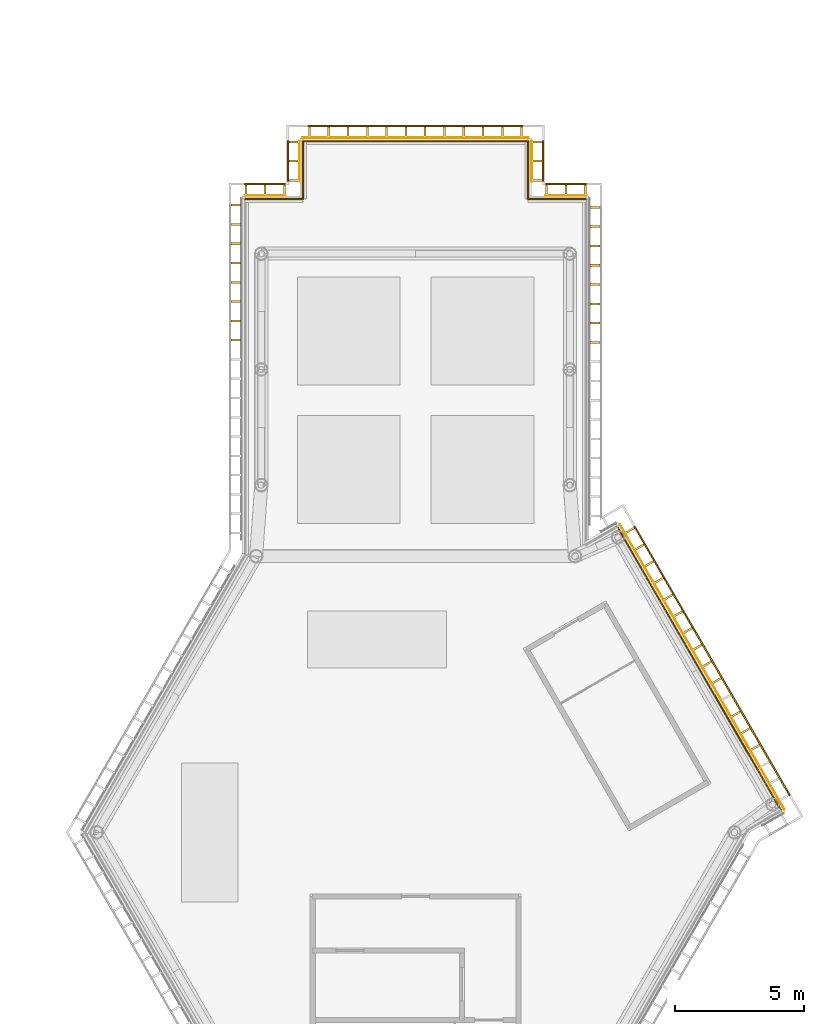
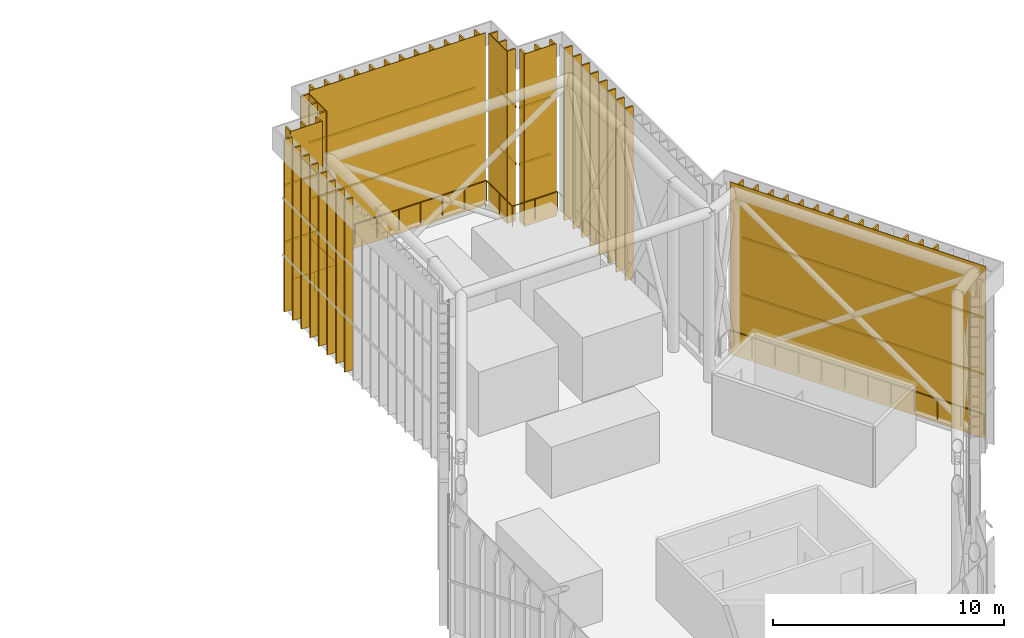
# One storey, part 14 of 17: 71 coverings, 6 railings.
"""IFC4 building model written with IfcOpenShell, lengths in metres."""

from ifc_helpers import new_model, si_unit, direction, frame, origin, origin_2d, place, context, subcontext, project, spatial, rectangle, circle, extrude, material, layer, layer_set, type_object, element, save


model = new_model("IFC4")

# Units and contexts
model_context = context("Model", 3, precision=1e-05, world=origin(), true_north=direction((0.0, 1.0)))
body_context = subcontext(model_context, "Body", "Model", "MODEL_VIEW")
ifc_project = project(units=[si_unit("LENGTHUNIT", "METRE"), si_unit("AREAUNIT", "SQUARE_METRE"), si_unit("VOLUMEUNIT", "CUBIC_METRE"), si_unit("PLANEANGLEUNIT", "RADIAN"), si_unit("MASSUNIT", "GRAM", prefix="KILO")], contexts=[model_context])

# Site, building, storey
site_placement = place(None, origin())
site = spatial("IfcSite", under=ifc_project, at=site_placement, CompositionType="ELEMENT")
building_placement = place(site_placement, origin())
building = spatial("IfcBuilding", under=site, at=building_placement, Name="Upepo Twin Towers", CompositionType="ELEMENT")
storey_placement = place(building_placement, frame((0.0, 0.0, 296.5)))
storey = spatial("IfcBuildingStorey", under=building, at=storey_placement, Name="RF", CompositionType="ELEMENT", Elevation=296.5)

# Coverings
ifc_material_1 = material(Name="Anodised aluminium, pale silver", Category="aluminium")
covering_type_1 = type_object("IfcCoveringType", Name="Crown screen fin 80x400 pale aluminium", PredefinedType="CLADDING", material=ifc_material_1)
for number, where, z_axis, x_axis, name in (
    (1, (65.47998046875, 1.05126953125, 0.0), (0.0, 0.0, 1.0), (0.0, 1.0, 0.0), "T2 crown screen fin 2.10"),
    (2, (65.47998046875, 1.80126953125, 0.0), (0.0, 0.0, 1.0), (0.0, 1.0, 0.0), "T2 crown screen fin 2.11"),
    (3, (65.47998046875, 2.55126953125, 0.0), (0.0, 0.0, 1.0), (0.0, 1.0, 0.0), "T2 crown screen fin 2.12"),
    (4, (65.47998046875, 3.30126953125, 0.0), (0.0, 0.0, 1.0), (0.0, 1.0, 0.0), "T2 crown screen fin 2.13"),
    (5, (65.47998046875, 4.05126953125, 0.0), (0.0, 0.0, 1.0), (0.0, 1.0, 0.0), "T2 crown screen fin 2.14"),
    (6, (65.47998046875, 4.80126953125, 0.0), (0.0, 0.0, 1.0), (0.0, 1.0, 0.0), "T2 crown screen fin 2.15"),
    (7, (65.47998046875, 5.55126953125, 0.0), (0.0, 0.0, 1.0), (0.0, 1.0, 0.0), "T2 crown screen fin 2.16"),
    (8, (65.47998046875, 6.30126953125, 0.0), (0.0, 0.0, 1.0), (0.0, 1.0, 0.0), "T2 crown screen fin 2.17"),
    (9, (65.10009765625, 6.97998046875, 0.0), (0.0, 0.0, 1.0), (-1.0, 0.0, 0.0), "T2 crown screen fin 3.1"),
    (10, (64.35009765625, 6.97998046875, 0.0), (0.0, 0.0, 1.0), (-1.0, 0.0, 0.0), "T2 crown screen fin 3.2"),
    (11, (63.60009765625, 6.97998046875, 0.0), (0.0, 0.0, 1.0), (-1.0, 0.0, 0.0), "T2 crown screen fin 3.3"),
    (12, (63.22998046875, 7.35009765625, 0.0), (0.0, 0.0, 1.0), (0.0, 1.0, 0.0), "T2 crown screen fin 4.1"),
    (13, (63.22998046875, 8.10009765625, 0.0), (0.0, 0.0, 1.0), (0.0, 1.0, 0.0), "T2 crown screen fin 4.2"),
    (14, (63.22998046875, 8.85009765625, 0.0), (0.0, 0.0, 1.0), (0.0, 1.0, 0.0), "T2 crown screen fin 4.3"),
    (15, (62.625, 9.22998046875, 0.0), (0.0, 0.0, 1.0), (-1.0, 0.0, 0.0), "T2 crown screen fin 5.1"),
    (16, (61.875, 9.22998046875, 0.0), (0.0, 0.0, 1.0), (-1.0, 0.0, 0.0), "T2 crown screen fin 5.2"),
    (17, (61.125, 9.22998046875, 0.0), (0.0, 0.0, 1.0), (-1.0, 0.0, 0.0), "T2 crown screen fin 5.3"),
    (18, (60.375, 9.22998046875, 0.0), (0.0, 0.0, 1.0), (-1.0, 0.0, 0.0), "T2 crown screen fin 5.4"),
    (19, (59.625, 9.22998046875, 0.0), (0.0, 0.0, 1.0), (-1.0, 0.0, 0.0), "T2 crown screen fin 5.5"),
    (20, (58.875, 9.22998046875, 0.0), (0.0, 0.0, 1.0), (-1.0, 0.0, 0.0), "T2 crown screen fin 5.6"),
    (21, (58.125, 9.22998046875, 0.0), (0.0, 0.0, 1.0), (-1.0, 0.0, 0.0), "T2 crown screen fin 5.7"),
    (22, (57.375, 9.22998046875, 0.0), (0.0, 0.0, 1.0), (-1.0, 0.0, 0.0), "T2 crown screen fin 5.8"),
    (23, (56.625, 9.22998046875, 0.0), (0.0, 0.0, 1.0), (-1.0, 0.0, 0.0), "T2 crown screen fin 5.9"),
    (24, (55.875, 9.22998046875, 0.0), (0.0, 0.0, 1.0), (-1.0, 0.0, 0.0), "T2 crown screen fin 5.10"),
    (25, (55.125, 9.22998046875, 0.0), (0.0, 0.0, 1.0), (-1.0, 0.0, 0.0), "T2 crown screen fin 5.11"),
    (26, (54.375, 9.22998046875, 0.0), (0.0, 0.0, 1.0), (-1.0, 0.0, 0.0), "T2 crown screen fin 5.12"),
    (27, (53.77001953125, 8.85009765625, 0.0), (0.0, 0.0, 1.0), (0.0, -1.0, 0.0), "T2 crown screen fin 6.1"),
    (28, (53.77001953125, 8.10009765625, 0.0), (0.0, 0.0, 1.0), (0.0, -1.0, 0.0), "T2 crown screen fin 6.2"),
    (29, (53.77001953125, 7.35009765625, 0.0), (0.0, 0.0, 1.0), (0.0, -1.0, 0.0), "T2 crown screen fin 6.3"),
    (30, (53.39990234375, 6.97998046875, 0.0), (0.0, 0.0, 1.0), (-1.0, 0.0, 0.0), "T2 crown screen fin 7.1"),
    (31, (52.64990234375, 6.97998046875, 0.0), (0.0, 0.0, 1.0), (-1.0, 0.0, 0.0), "T2 crown screen fin 7.2"),
    (32, (51.89990234375, 6.97998046875, 0.0), (0.0, 0.0, 1.0), (-1.0, 0.0, 0.0), "T2 crown screen fin 7.3"),
    (33, (51.52001953125, 6.3876953125, 0.0), (0.0, 0.0, 1.0), (0.0, -1.0, 0.0), "T2 crown screen fin 8.1"),
    (34, (51.52001953125, 5.6376953125, 0.0), (0.0, 0.0, 1.0), (0.0, -1.0, 0.0), "T2 crown screen fin 8.2"),
    (35, (51.52001953125, 4.8876953125, 0.0), (0.0, 0.0, 1.0), (0.0, -1.0, 0.0), "T2 crown screen fin 8.3"),
    (36, (51.52001953125, 4.1376953125, 0.0), (0.0, 0.0, 1.0), (0.0, -1.0, 0.0), "T2 crown screen fin 8.4"),
    (37, (51.52001953125, 3.3876953125, 0.0), (0.0, 0.0, 1.0), (0.0, -1.0, 0.0), "T2 crown screen fin 8.5"),
    (38, (51.52001953125, 2.6376953125, 0.0), (0.0, 0.0, 1.0), (0.0, -1.0, 0.0), "T2 crown screen fin 8.6"),
    (39, (51.52001953125, 1.8876953125, 0.0), (0.0, 0.0, 1.0), (0.0, -1.0, 0.0), "T2 crown screen fin 8.7"),
    (40, (51.52001953125, 1.1376953125, 0.0), (0.0, 0.0, 1.0), (0.0, -1.0, 0.0), "T2 crown screen fin 8.8"),
    (41, (71.709716796875, -14.703369140625, 0.0), (0.0, 0.0, 1.0), (-0.500000015115, 0.866025395058, 0.0), "T2 crown screen fin 16.4"),
    (42, (71.334716796875, -14.053955078125, 0.0), (0.0, 0.0, 1.0), (-0.500000015115, 0.866025395058, 0.0), "T2 crown screen fin 16.5"),
    (43, (70.959716796875, -13.404296875, 0.0), (0.0, 0.0, 1.0), (-0.500000015115, 0.866025395058, 0.0), "T2 crown screen fin 16.6"),
    (44, (70.209716796875, -12.10546875, 0.0), (0.0, 0.0, 1.0), (-0.500000015115, 0.866025395058, 0.0), "T2 crown screen fin 16.8"),
    (45, (69.834716796875, -11.455810546875, 0.0), (0.0, 0.0, 1.0), (-0.500000015115, 0.866025395058, 0.0), "T2 crown screen fin 16.9"),
    (46, (69.459716796875, -10.806396484375, 0.0), (0.0, 0.0, 1.0), (-0.500000015115, 0.866025395058, 0.0), "T2 crown screen fin 16.10"),
    (47, (69.084716796875, -10.15673828125, 0.0), (0.0, 0.0, 1.0), (-0.500000015115, 0.866025395058, 0.0), "T2 crown screen fin 16.11"),
    (48, (68.709716796875, -9.50732421875, 0.0), (0.0, 0.0, 1.0), (-0.500000015115, 0.866025395058, 0.0), "T2 crown screen fin 16.12"),
    (49, (68.334716796875, -8.857666015625, 0.0), (0.0, 0.0, 1.0), (-0.500000015115, 0.866025395058, 0.0), "T2 crown screen fin 16.13"),
    (50, (67.959716796875, -8.208251953125, 0.0), (0.0, 0.0, 1.0), (-0.500000015115, 0.866025395058, 0.0), "T2 crown screen fin 16.14"),
    (51, (67.584716796875, -7.558837890625, 0.0), (0.0, 0.0, 1.0), (-0.500000015115, 0.866025395058, 0.0), "T2 crown screen fin 16.15"),
    (52, (67.209716796875, -6.9091796875, 0.0), (0.0, 0.0, 1.0), (-0.500000015115, 0.866025395058, 0.0), "T2 crown screen fin 16.16"),
    (53, (66.834716796875, -6.259765625, 0.0), (0.0, 0.0, 1.0), (-0.500000015115, 0.866025395058, 0.0), "T2 crown screen fin 16.17"),
):
    element("IfcCovering", number, at=place(storey_placement, frame(where, z_axis=z_axis, x_axis=x_axis)), inside=storey, type_object=covering_type_1, Name=name, PredefinedType="CLADDING", context=body_context, shape_type="SweptSolid", body=[
        extrude(rectangle(XDim=0.080078125, YDim=0.39990234375, at=origin_2d()), origin(), (0.0, 0.0, 1.0), 9.10400390625),
    ])
ifc_material_2 = material(Name="Perforated anodised aluminium sheet 3 mm, pale silver, on an aluminium subframe", Category="aluminium")
ifc_layer = layer(ifc_material_2, 0.030029296875)
ifc_layer_set = layer_set([ifc_layer], Name="Crown screen panel 30 perforated aluminium")
covering_type_2 = type_object("IfcCoveringType", Name="Crown screen panel 30 perforated aluminium", PredefinedType="CLADDING", material=ifc_layer_set)
for number, where, z_axis, x_axis, name in (
    (54, (64.35009765625, 6.764892578125, 0.0), (0.0, 0.0, 1.0), (-1.0, 0.0, 0.0), "T2 crown screen panel 3"),
    (55, (63.014892578125, 8.10009765625, 0.0), (0.0, 0.0, 1.0), (0.0, 1.0, 0.0), "T2 crown screen panel 4"),
):
    element("IfcCovering", number, at=place(storey_placement, frame(where, z_axis=z_axis, x_axis=x_axis)), inside=storey, type_object=covering_type_2, Name=name, PredefinedType="CLADDING", context=body_context, shape_type="SweptSolid", body=[
        extrude(rectangle(XDim=1.60009765625, YDim=0.030029296875, at=origin_2d()), origin(), (0.0, 0.0, 1.0), 9.10400390625),
    ])
covering_1_placement = place(storey_placement, frame((58.5, 9.014892578125, 0.0), z_axis=(0.0, 0.0, 1.0), x_axis=(-1.0, 0.0, 0.0)))
element("IfcCovering", 56, at=covering_1_placement, inside=storey, type_object=covering_type_2, Name="T2 crown screen panel 5", PredefinedType="CLADDING", context=body_context, shape_type="SweptSolid", body=[
    extrude(rectangle(XDim=8.800048828125, YDim=0.030029296875, at=origin_2d()), origin(), (0.0, 0.0, 1.0), 9.10400390625),
])
for number, where, z_axis, x_axis, name in (
    (57, (53.985107421875, 8.10009765625, 0.0), (0.0, 0.0, 1.0), (0.0, -1.0, 0.0), "T2 crown screen panel 6"),
    (58, (52.64990234375, 6.764892578125, 0.0), (0.0, 0.0, 1.0), (-1.0, 0.0, 0.0), "T2 crown screen panel 7"),
):
    element("IfcCovering", number, at=place(storey_placement, frame(where, z_axis=z_axis, x_axis=x_axis)), inside=storey, type_object=covering_type_2, Name=name, PredefinedType="CLADDING", context=body_context, shape_type="SweptSolid", body=[
        extrude(rectangle(XDim=1.60009765625, YDim=0.030029296875, at=origin_2d()), origin(), (0.0, 0.0, 1.0), 9.10400390625),
    ])
covering_2_placement = place(storey_placement, frame((69.648681640625, -11.563232421875, 0.0), z_axis=(0.0, 0.0, 1.0), x_axis=(-0.500000015115, 0.866025395058, 0.0)))
element("IfcCovering", 59, at=covering_2_placement, inside=storey, type_object=covering_type_2, Name="T2 crown screen panel 16", PredefinedType="CLADDING", context=body_context, shape_type="SweptSolid", body=[
    extrude(rectangle(XDim=12.800048828125, YDim=0.030029296875, at=origin_2d()), origin(), (0.0, 0.0, 1.0), 9.10400390625),
])
ifc_material_3 = material(Name="Anodised aluminium, pale silver", Category="aluminium")
covering_type_3 = type_object("IfcCoveringType", Name="Crown screen rail 60x100 pale aluminium", PredefinedType="CLADDING", material=ifc_material_3)
for number, where, z_axis, x_axis, name in (
    (60, (64.35009765625, 7.2099609375, 2.949951171875), (0.0, 0.0, 1.0), (-1.0, 0.0, 0.0), "T2 crown screen rail 3.1"),
    (61, (64.35009765625, 7.2099609375, 5.949951171875), (0.0, 0.0, 1.0), (-1.0, 0.0, 0.0), "T2 crown screen rail 3.2"),
    (62, (63.4599609375, 8.10009765625, 2.949951171875), (0.0, 0.0, 1.0), (0.0, 1.0, 0.0), "T2 crown screen rail 4.1"),
    (63, (63.4599609375, 8.10009765625, 5.949951171875), (0.0, 0.0, 1.0), (0.0, 1.0, 0.0), "T2 crown screen rail 4.2"),
):
    element("IfcCovering", number, at=place(storey_placement, frame(where, z_axis=z_axis, x_axis=x_axis)), inside=storey, type_object=covering_type_3, Name=name, PredefinedType="CLADDING", context=body_context, shape_type="SweptSolid", body=[
        extrude(rectangle(XDim=1.580078125, YDim=0.06005859375, at=origin_2d()), origin(), (0.0, 0.0, 1.0), 0.10009765625),
    ])
for number, where, z_axis, x_axis, name in (
    (64, (58.5, 9.4599609375, 2.949951171875), (0.0, 0.0, 1.0), (-1.0, 0.0, 0.0), "T2 crown screen rail 5.1"),
    (65, (58.5, 9.4599609375, 5.949951171875), (0.0, 0.0, 1.0), (-1.0, 0.0, 0.0), "T2 crown screen rail 5.2"),
):
    element("IfcCovering", number, at=place(storey_placement, frame(where, z_axis=z_axis, x_axis=x_axis)), inside=storey, type_object=covering_type_3, Name=name, PredefinedType="CLADDING", context=body_context, shape_type="SweptSolid", body=[
        extrude(rectangle(XDim=8.330078125, YDim=0.06005859375, at=origin_2d()), origin(), (0.0, 0.0, 1.0), 0.10009765625),
    ])
for number, where, z_axis, x_axis, name in (
    (66, (53.5400390625, 8.10009765625, 2.949951171875), (0.0, 0.0, 1.0), (0.0, -1.0, 0.0), "T2 crown screen rail 6.1"),
    (67, (53.5400390625, 8.10009765625, 5.949951171875), (0.0, 0.0, 1.0), (0.0, -1.0, 0.0), "T2 crown screen rail 6.2"),
    (68, (52.64990234375, 7.2099609375, 2.949951171875), (0.0, 0.0, 1.0), (-1.0, 0.0, 0.0), "T2 crown screen rail 7.1"),
    (69, (52.64990234375, 7.2099609375, 5.949951171875), (0.0, 0.0, 1.0), (-1.0, 0.0, 0.0), "T2 crown screen rail 7.2"),
):
    element("IfcCovering", number, at=place(storey_placement, frame(where, z_axis=z_axis, x_axis=x_axis)), inside=storey, type_object=covering_type_3, Name=name, PredefinedType="CLADDING", context=body_context, shape_type="SweptSolid", body=[
        extrude(rectangle(XDim=1.580078125, YDim=0.06005859375, at=origin_2d()), origin(), (0.0, 0.0, 1.0), 0.10009765625),
    ])
for number, where, z_axis, x_axis, name in (
    (70, (70.033935546875, -11.3408203125, 2.949951171875), (0.0, 0.0, 1.0), (-0.500000015115, 0.866025395058, 0.0), "T2 crown screen rail 16.1"),
    (71, (70.033935546875, -11.3408203125, 5.949951171875), (0.0, 0.0, 1.0), (-0.500000015115, 0.866025395058, 0.0), "T2 crown screen rail 16.2"),
):
    element("IfcCovering", number, at=place(storey_placement, frame(where, z_axis=z_axis, x_axis=x_axis)), inside=storey, type_object=covering_type_3, Name=name, PredefinedType="CLADDING", context=body_context, shape_type="SweptSolid", body=[
        extrude(rectangle(XDim=12.080078125, YDim=0.06005859375, at=origin_2d()), origin(), (0.0, 0.0, 1.0), 0.10009765625),
    ])

# Railings
ifc_material_4 = material(Name="Galvanised steel S275", Category="steel")
railing_type = type_object("IfcRailingType", Name="Roof edge guardrail 1100 steel", PredefinedType="GUARDRAIL", material=ifc_material_4)
railing_1_placement = place(storey_placement, frame((66.33984375, -6.1123046875, 0.300048828125)))
element("IfcRailing", 72, at=railing_1_placement, inside=storey, type_object=railing_type, Name="T2 roof edge guardrail 1", PredefinedType="GUARDRAIL", context=body_context, shape_type="SweptSolid", body=[
    extrude(circle(Radius=0.02392578125, at=origin_2d()), frame((0.0, 0.0, 1.076171875), z_axis=(0.499994284652, -0.866028703517, 0.0), x_axis=(0.866028703517, 0.499994284652, 0.0)), (0.0, 0.0, 1.0), 12.750244140625),
    extrude(circle(Radius=0.02099609375, at=origin_2d()), origin(), (0.0, 0.0, 1.0), 1.052001953125),
    extrude(circle(Radius=0.02099609375, at=origin_2d()), frame((0.57958984375, -1.00390625, 0.0)), (0.0, 0.0, 1.0), 1.052001953125),
    extrude(circle(Radius=0.02099609375, at=origin_2d()), frame((1.1591796875, -2.007568359375, 0.0)), (0.0, 0.0, 1.0), 1.052001953125),
    extrude(circle(Radius=0.02099609375, at=origin_2d()), frame((1.738525390625, -3.011474609375, 0.0)), (0.0, 0.0, 1.0), 1.052001953125),
    extrude(circle(Radius=0.02099609375, at=origin_2d()), frame((2.318115234375, -4.015380859375, 0.0)), (0.0, 0.0, 1.0), 1.052001953125),
    extrude(circle(Radius=0.02099609375, at=origin_2d()), frame((2.897705078125, -5.01904296875, 0.0)), (0.0, 0.0, 1.0), 1.052001953125),
    extrude(circle(Radius=0.02099609375, at=origin_2d()), frame((3.477294921875, -6.02294921875, 0.0)), (0.0, 0.0, 1.0), 1.052001953125),
    extrude(circle(Radius=0.02099609375, at=origin_2d()), frame((4.056884765625, -7.026611328125, 0.0)), (0.0, 0.0, 1.0), 1.052001953125),
    extrude(circle(Radius=0.02099609375, at=origin_2d()), frame((4.636474609375, -8.030517578125, 0.0)), (0.0, 0.0, 1.0), 1.052001953125),
    extrude(circle(Radius=0.02099609375, at=origin_2d()), frame((5.2158203125, -9.034423828125, 0.0)), (0.0, 0.0, 1.0), 1.052001953125),
    extrude(circle(Radius=0.02099609375, at=origin_2d()), frame((5.79541015625, -10.0380859375, 0.0)), (0.0, 0.0, 1.0), 1.052001953125),
    extrude(circle(Radius=0.02099609375, at=origin_2d()), frame((6.375, -11.0419921875, 0.0)), (0.0, 0.0, 1.0), 1.052001953125),
])
railing_2_placement = place(storey_placement, frame((51.875, 6.625, 0.300048828125)))
element("IfcRailing", 73, at=railing_2_placement, inside=storey, type_object=railing_type, Name="T2 roof edge guardrail 10", PredefinedType="GUARDRAIL", context=body_context, shape_type="SweptSolid", body=[
    extrude(circle(Radius=0.02392578125, at=origin_2d()), frame((0.0, 0.0, 1.076171875), z_axis=(1.0, 0.0, 0.0), x_axis=(0.0, 1.0, 0.0)), (0.0, 0.0, 1.0), 2.25),
    extrude(circle(Radius=0.02099609375, at=origin_2d()), origin(), (0.0, 0.0, 1.0), 1.052001953125),
    extrude(circle(Radius=0.02099609375, at=origin_2d()), frame((1.125, 0.0, 0.0)), (0.0, 0.0, 1.0), 1.052001953125),
    extrude(circle(Radius=0.02099609375, at=origin_2d()), frame((2.25, 0.0, 0.0)), (0.0, 0.0, 1.0), 1.052001953125),
])
railing_3_placement = place(storey_placement, frame((54.125, 6.625, 0.300048828125)))
element("IfcRailing", 74, at=railing_3_placement, inside=storey, type_object=railing_type, Name="T2 roof edge guardrail 11", PredefinedType="GUARDRAIL", context=body_context, shape_type="SweptSolid", body=[
    extrude(circle(Radius=0.02392578125, at=origin_2d()), frame((0.0, 0.0, 1.076171875), z_axis=(0.0, 1.0, 0.0), x_axis=(-1.0, 0.0, 0.0)), (0.0, 0.0, 1.0), 2.25),
    extrude(circle(Radius=0.02099609375, at=origin_2d()), origin(), (0.0, 0.0, 1.0), 1.052001953125),
    extrude(circle(Radius=0.02099609375, at=origin_2d()), frame((0.0, 1.125, 0.0)), (0.0, 0.0, 1.0), 1.052001953125),
    extrude(circle(Radius=0.02099609375, at=origin_2d()), frame((0.0, 2.25, 0.0)), (0.0, 0.0, 1.0), 1.052001953125),
])
railing_4_placement = place(storey_placement, frame((54.125, 8.875, 0.300048828125)))
element("IfcRailing", 75, at=railing_4_placement, inside=storey, type_object=railing_type, Name="T2 roof edge guardrail 12", PredefinedType="GUARDRAIL", context=body_context, shape_type="SweptSolid", body=[
    extrude(circle(Radius=0.02392578125, at=origin_2d()), frame((0.0, 0.0, 1.076171875), z_axis=(1.0, 0.0, 0.0), x_axis=(0.0, 1.0, 0.0)), (0.0, 0.0, 1.0), 8.75),
    extrude(circle(Radius=0.02099609375, at=origin_2d()), origin(), (0.0, 0.0, 1.0), 1.052001953125),
    extrude(circle(Radius=0.02099609375, at=origin_2d()), frame((1.09375, 0.0, 0.0)), (0.0, 0.0, 1.0), 1.052001953125),
    extrude(circle(Radius=0.02099609375, at=origin_2d()), frame((2.1875, 0.0, 0.0)), (0.0, 0.0, 1.0), 1.052001953125),
    extrude(circle(Radius=0.02099609375, at=origin_2d()), frame((3.28125, 0.0, 0.0)), (0.0, 0.0, 1.0), 1.052001953125),
    extrude(circle(Radius=0.02099609375, at=origin_2d()), frame((4.375, 0.0, 0.0)), (0.0, 0.0, 1.0), 1.052001953125),
    extrude(circle(Radius=0.02099609375, at=origin_2d()), frame((5.46875, 0.0, 0.0)), (0.0, 0.0, 1.0), 1.052001953125),
    extrude(circle(Radius=0.02099609375, at=origin_2d()), frame((6.5625, 0.0, 0.0)), (0.0, 0.0, 1.0), 1.052001953125),
    extrude(circle(Radius=0.02099609375, at=origin_2d()), frame((7.65625, 0.0, 0.0)), (0.0, 0.0, 1.0), 1.052001953125),
    extrude(circle(Radius=0.02099609375, at=origin_2d()), frame((8.75, 0.0, 0.0)), (0.0, 0.0, 1.0), 1.052001953125),
])
railing_5_placement = place(storey_placement, frame((62.875, 8.875, 0.300048828125)))
element("IfcRailing", 76, at=railing_5_placement, inside=storey, type_object=railing_type, Name="T2 roof edge guardrail 13", PredefinedType="GUARDRAIL", context=body_context, shape_type="SweptSolid", body=[
    extrude(circle(Radius=0.02392578125, at=origin_2d()), frame((0.0, 0.0, 1.076171875), z_axis=(0.0, -1.0, 0.0), x_axis=(1.0, 0.0, 0.0)), (0.0, 0.0, 1.0), 2.25),
    extrude(circle(Radius=0.02099609375, at=origin_2d()), origin(), (0.0, 0.0, 1.0), 1.052001953125),
    extrude(circle(Radius=0.02099609375, at=origin_2d()), frame((0.0, -1.125, 0.0)), (0.0, 0.0, 1.0), 1.052001953125),
    extrude(circle(Radius=0.02099609375, at=origin_2d()), frame((0.0, -2.25, 0.0)), (0.0, 0.0, 1.0), 1.052001953125),
])
railing_6_placement = place(storey_placement, frame((62.875, 6.625, 0.300048828125)))
element("IfcRailing", 77, at=railing_6_placement, inside=storey, type_object=railing_type, Name="T2 roof edge guardrail 14", PredefinedType="GUARDRAIL", context=body_context, shape_type="SweptSolid", body=[
    extrude(circle(Radius=0.02392578125, at=origin_2d()), frame((0.0, 0.0, 1.076171875), z_axis=(1.0, 0.0, 0.0), x_axis=(0.0, 1.0, 0.0)), (0.0, 0.0, 1.0), 2.25),
    extrude(circle(Radius=0.02099609375, at=origin_2d()), origin(), (0.0, 0.0, 1.0), 1.052001953125),
    extrude(circle(Radius=0.02099609375, at=origin_2d()), frame((1.125, 0.0, 0.0)), (0.0, 0.0, 1.0), 1.052001953125),
    extrude(circle(Radius=0.02099609375, at=origin_2d()), frame((2.25, 0.0, 0.0)), (0.0, 0.0, 1.0), 1.052001953125),
])

save(model, "model.ifc")
